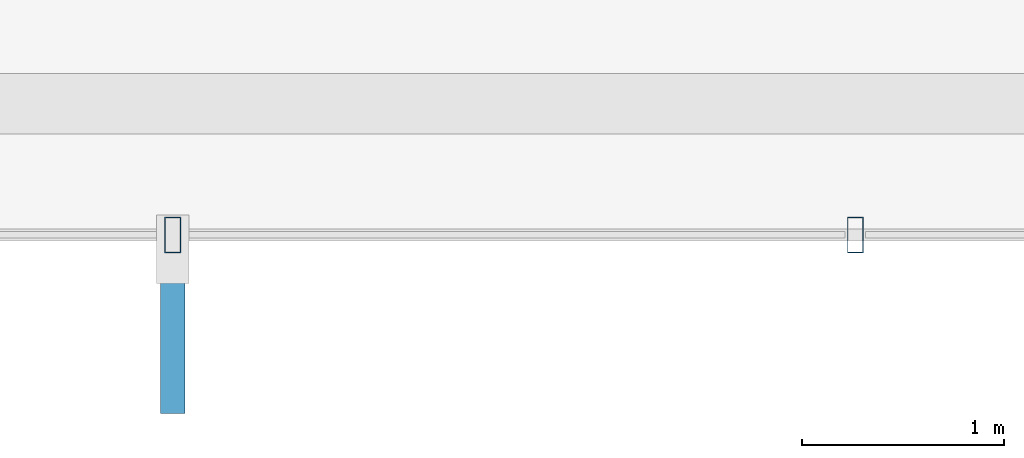
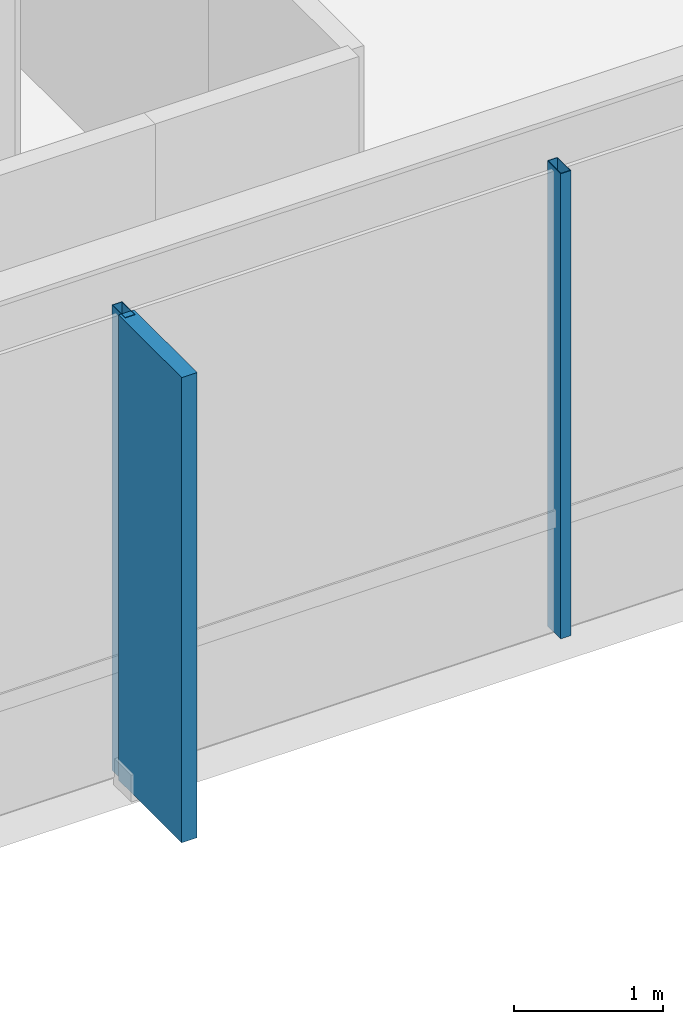
# One storey, part 8 of 24: 3 members, 1 element without a shape of its own.
"""IFC4 building model written with IfcOpenShell, lengths in metres."""

from ifc_helpers import new_model, si_unit, direction, frame, origin, origin_2d, place, context, subcontext, project, spatial, rectangle, hollow_rectangle, extrude, material, layer, layer_set, material_profile, profile_set, type_object, element, aggregate, save


model = new_model("IFC4")

# Units and contexts
model_context = context("Model", 3, precision=1e-05, world=origin(), true_north=direction((0.0, 1.0)))
body_context = subcontext(model_context, "Body", "Model", "MODEL_VIEW")
ifc_project = project(units=[si_unit("LENGTHUNIT", "METRE"), si_unit("AREAUNIT", "SQUARE_METRE"), si_unit("VOLUMEUNIT", "CUBIC_METRE"), si_unit("PLANEANGLEUNIT", "RADIAN"), si_unit("MASSUNIT", "GRAM", prefix="KILO")], contexts=[model_context])

# Site, building, storey
site_placement = place(None, origin())
site = spatial("IfcSite", under=ifc_project, at=site_placement, CompositionType="ELEMENT")
building_placement = place(site_placement, origin())
building = spatial("IfcBuilding", under=site, at=building_placement, Name="Zarrinselat Tower", CompositionType="ELEMENT")
storey_placement = place(building_placement, frame((0.0, 0.0, 72.419921875)))
storey = spatial("IfcBuildingStorey", under=building, at=storey_placement, Name="L17", CompositionType="ELEMENT", Elevation=72.419921875)

# Curtain wall, members
ifc_material_1 = material(Name="Extruded Aluminium Alloy EN AW-6063 T6", Category="aluminium")
ifc_layer = layer(ifc_material_1, 0.18505859375)
ifc_layer_set = layer_set([ifc_layer], Name="Extruded Aluminium Alloy EN AW-6063 T6")
curtain_wall_type = type_object("IfcCurtainWallType", Name="CWS-OFF", PredefinedType="NOTDEFINED", material=ifc_layer_set)
curtain_wall_placement = place(storey_placement, origin())
curtain_wall = element("IfcCurtainWall", 1, at=curtain_wall_placement, inside=storey, type_object=curtain_wall_type, Name="L17 Unitised Curtain Wall CW-L17-E04", PredefinedType="NOTDEFINED")
ifc_material_2 = material(Name="Extruded Aluminium Alloy EN AW-6063 T6", Category="aluminium")
ifc_material_profile_1 = material_profile(ifc_material_2, hollow_rectangle(XDim=0.080078125, YDim=0.179931640625, WallThickness=0.0048828125, at=origin_2d()), Name="RHS 180x80x5")
ifc_profile_set_1 = profile_set([ifc_material_profile_1], Name="Extruded Aluminium Alloy EN AW-6063 T6")
member_type_1 = type_object("IfcMemberType", Name="MEM-CW-MUL", PredefinedType="MULLION", material=ifc_profile_set_1)
member_1_placement = place(storey_placement, frame((41.78173828125, 18.60498046875, 0.0), z_axis=(0.0, 0.0, 1.0), x_axis=(1.0, 0.0, 0.0)))
member_1 = element("IfcMember", 2, at=member_1_placement, type_object=member_type_1, Name="CW-L17-E04 Mullion 5", PredefinedType="MULLION", context=body_context, shape_type="SweptSolid", body=[
    extrude(hollow_rectangle(XDim=0.080078125, YDim=0.179931640625, WallThickness=0.0048828125, at=origin_2d()), origin(), (0.0, 0.0, 1.0), 3.820068359375),
])
member_2_placement = place(storey_placement, frame((45.16357421875, 18.60498046875, 0.0), z_axis=(0.0, 0.0, 1.0), x_axis=(1.0, 0.0, 0.0)))
member_2 = element("IfcMember", 3, at=member_2_placement, type_object=member_type_1, Name="CW-L17-E04 Mullion 6", PredefinedType="MULLION", context=body_context, shape_type="SweptSolid", body=[
    extrude(hollow_rectangle(XDim=0.080078125, YDim=0.179931640625, WallThickness=0.0048828125, at=origin_2d()), origin(), (0.0, 0.0, 1.0), 3.820068359375),
])
ifc_material_3 = material(Name="Honed Cream Travertine Stone", Category="masonry")
ifc_material_profile_2 = material_profile(ifc_material_3, rectangle(XDim=0.1201171875, YDim=0.85009765625, at=origin_2d()), Name="FIN 850x120")
ifc_profile_set_2 = profile_set([ifc_material_profile_2], Name="Honed Cream Travertine Stone")
member_type_2 = type_object("IfcMemberType", Name="MEM-STONE-FIN", PredefinedType="USERDEFINED", material=ifc_profile_set_2)
member_3_placement = place(storey_placement, frame((41.78173828125, 18.14501953125, 0.0), z_axis=(0.0, 0.0, 1.0), x_axis=(-1.0, 0.0, 0.0)))
member_3 = element("IfcMember", 4, at=member_3_placement, type_object=member_type_2, Name="L17 Stone Shading Fin CW-L17-E04-05", ObjectType="FIN", PredefinedType="USERDEFINED", context=body_context, shape_type="SweptSolid", body=[
    extrude(rectangle(XDim=0.1201171875, YDim=0.85009765625, at=origin_2d()), origin(), (0.0, 0.0, 1.0), 3.820068359375),
])
aggregate(curtain_wall, [member_1, member_3, member_2])

save(model, "model.ifc")
